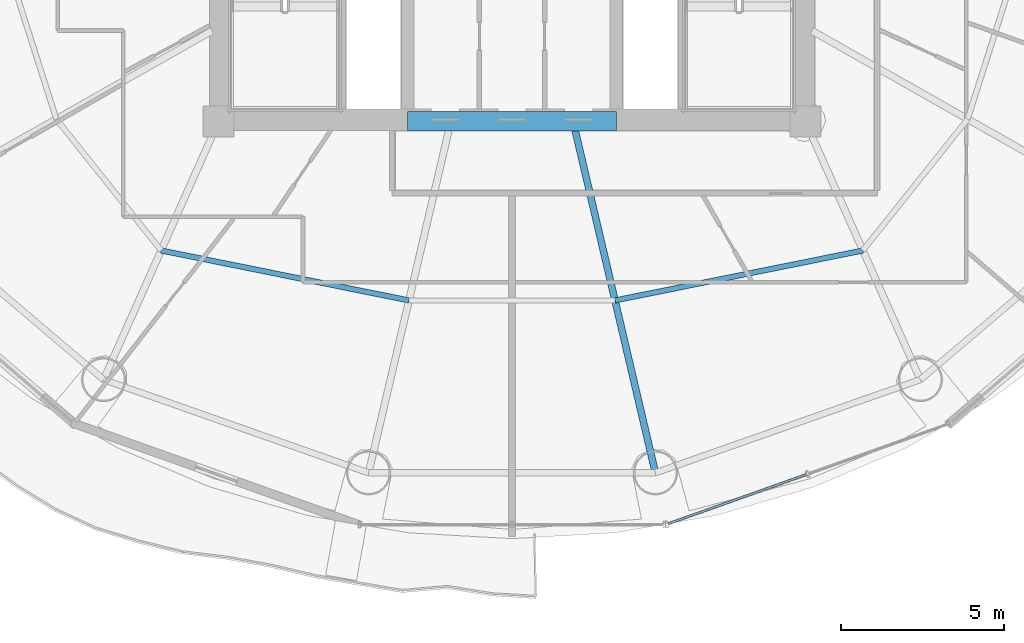
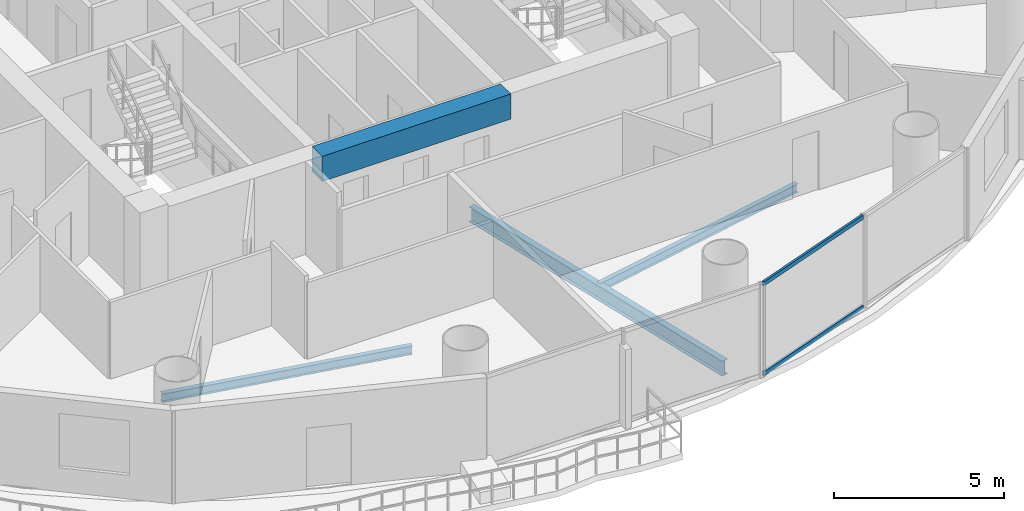
# One storey, part 5 of 26: 4 beams, 2 members, 1 element without a shape of its own.
"""IFC4 building model written with IfcOpenShell, lengths in metres."""

from ifc_helpers import new_model, si_unit, direction, frame, origin, origin_2d, place, context, subcontext, project, spatial, rectangle, hollow_rectangle, i_section, extrude, source, transform, mapped, material, material_profile, profile_set, type_object, element, aggregate, save


model = new_model("IFC4")

# Units and contexts
model_context = context("Model", 3, precision=1e-05, world=origin(), true_north=direction((-0.2419218956, 0.970295726276)))
body_context = subcontext(model_context, "Body", "Model", "MODEL_VIEW")
ifc_project = project(units=[si_unit("LENGTHUNIT", "METRE"), si_unit("AREAUNIT", "SQUARE_METRE"), si_unit("VOLUMEUNIT", "CUBIC_METRE"), si_unit("PLANEANGLEUNIT", "RADIAN"), si_unit("MASSUNIT", "GRAM", prefix="KILO")], contexts=[model_context])

# Site, building, storey
site_placement = place(None, origin())
site = spatial("IfcSite", under=ifc_project, at=site_placement, CompositionType="ELEMENT")
building_placement = place(site_placement, origin())
building = spatial("IfcBuilding", under=site, at=building_placement, Name="Cobrevalo Terracotta Tower", CompositionType="ELEMENT")
storey_placement = place(building_placement, frame((0.0, 0.0, 171.39990234375)))
storey = spatial("IfcBuildingStorey", under=building, at=storey_placement, Name="L45", CompositionType="ELEMENT", Elevation=171.39990234375)

# Beams
ifc_material_1 = material(Name="Concrete C60", Category="concrete")
ifc_material_profile_1 = material_profile(ifc_material_1, rectangle(XDim=0.60009765625, YDim=0.89990234375, at=origin_2d()), Name="RC CB 600x900")
ifc_profile_set_1 = profile_set([ifc_material_profile_1], Name="Concrete C60")
beam_type_1 = type_object("IfcBeamType", Name="Structural Beam RC CB 600x900 (Concrete C60)", PredefinedType="BEAM", material=ifc_profile_set_1)
beam_1_placement = place(storey_placement, frame((34.800048828125, 18.800048828125, 2.880126953125), z_axis=(1.0, 0.0, 0.0), x_axis=(0.0, 1.0, 0.0)))
element("IfcBeam", 1, at=beam_1_placement, inside=storey, type_object=beam_type_1, Name="L45 core coupling beam 1", PredefinedType="BEAM", context=body_context, shape_type="SweptSolid", body=[
    extrude(rectangle(XDim=0.60009765625, YDim=0.89990234375, at=origin_2d()), origin(), (0.0, 0.0, 1.0), 6.39990234375),
])
ifc_material_2 = material(Name="Steel S355", Category="steel")
ifc_material_profile_2 = material_profile(ifc_material_2, i_section(OverallWidth=0.2109375, OverallDepth=0.5390625, WebThickness=0.01171875, FlangeThickness=0.018798828125, at=origin_2d()), Name="W 530x109")
ifc_profile_set_2 = profile_set([ifc_material_profile_2], Name="Steel S355")
beam_type_2 = type_object("IfcBeamType", Name="Structural Beam W 530x109 (Steel S355)", PredefinedType="BEAM", material=ifc_profile_set_2)
beam_2_placement = place(storey_placement, frame((42.399169921875, 8.01806640625, -0.539306640625), z_axis=(-0.228045854186, 0.973650393308, 0.0), x_axis=(-0.973650393308, -0.228045854186, 0.0)))
element("IfcBeam", 2, at=beam_2_placement, inside=storey, type_object=beam_type_2, Name="L45 radial floor girder 13", PredefinedType="BEAM", context=body_context, shape_type="SweptSolid", body=[
    extrude(i_section(OverallWidth=0.2109375, OverallDepth=0.5390625, WebThickness=0.01171875, FlangeThickness=0.018798828125, at=origin_2d()), origin(), (0.0, 0.0, 1.0), 10.863037109375),
])
ifc_material_profile_3 = material_profile(ifc_material_2, i_section(OverallWidth=0.1650390625, OverallDepth=0.31005859375, WebThickness=0.005859375, FlangeThickness=0.009765625, at=origin_2d()), Name="W 310x38.7")
ifc_profile_set_3 = profile_set([ifc_material_profile_3], Name="Steel S355")
beam_type_3 = type_object("IfcBeamType", Name="Structural Joist W 310x38.7 (Steel S355)", PredefinedType="JOIST", material=ifc_profile_set_3)
for number, where, z_axis, x_axis, name in (
    (3, (27.23583984375, 14.838623046875, -0.4248046875), (0.980293928329, -0.197544461026, 0.0), (0.197544461026, 0.980293928329, 0.0), "L45 circumferential secondary floor joist 11"),
    (4, (41.16064453125, 13.306396484375, -0.4248046875), (0.980293928329, 0.197544461026, 0.0), (-0.197544461026, 0.980293928329, 0.0), "L45 circumferential secondary floor joist 13"),
):
    element("IfcBeam", number, at=place(storey_placement, frame(where, z_axis=z_axis, x_axis=x_axis)), inside=storey, type_object=beam_type_3, Name=name, PredefinedType="JOIST", context=body_context, shape_type="SweptSolid", body=[
        extrude(i_section(OverallWidth=0.1650390625, OverallDepth=0.31005859375, WebThickness=0.005859375, FlangeThickness=0.009765625, at=origin_2d()), origin(), (0.0, 0.0, 1.0), 7.75634765625),
    ])

# Curtain wall, members
ifc_material_3 = material(Name="Anodized aluminium", Category="aluminium")
curtain_wall_type = type_object("IfcCurtainWallType", Name="Mid-tower high-wind unitised curtain wall CW-U2", PredefinedType="NOTDEFINED", material=ifc_material_3)
curtain_wall_placement = place(storey_placement, origin())
curtain_wall = element("IfcCurtainWall", 5, at=curtain_wall_placement, inside=storey, type_object=curtain_wall_type, Name="L45 curtain wall CW-L45-S13", PredefinedType="NOTDEFINED")
ifc_material_profile_4 = material_profile(ifc_material_3, hollow_rectangle(XDim=0.074951171875, YDim=0.14990234375, WallThickness=0.00439453125, at=origin_2d()), Name="CWT 75x150")
ifc_profile_set_4 = profile_set([ifc_material_profile_4], Name="Anodized aluminium")
member_type = type_object("IfcMemberType", Name="Tower unitised aluminium transom 75x150", PredefinedType="USERDEFINED", material=ifc_profile_set_4)
shared_shape = source(origin(), body_context, "Body", "SweptSolid", [
    extrude(hollow_rectangle(XDim=0.074951171875, YDim=0.14990234375, WallThickness=0.00439453125, at=origin_2d()), origin(), (0.0, 0.0, 1.0), 4.50390625),
])
member_1_placement = place(storey_placement, frame((42.790771484375, 6.455810546875, 0.050048828125), z_axis=(0.942087248155, 0.335367882873, 0.0), x_axis=(-0.335367882873, 0.942087248155, 0.0)))
member_1 = element("IfcMember", 6, at=member_1_placement, type_object=member_type, Name="CW-L45-S13 transom B01-T1", ObjectType="TRANSOM", PredefinedType="USERDEFINED", context=body_context, shape_type="MappedRepresentation", body=[
    mapped(shared_shape, transform((0.0, 0.0, 0.0), scale=1.0)),
])
member_2_placement = place(storey_placement, frame((42.790771484375, 6.455810546875, 3.280029296875), z_axis=(0.942087248155, 0.335367882873, 0.0), x_axis=(-0.335367882873, 0.942087248155, 0.0)))
member_2 = element("IfcMember", 7, at=member_2_placement, type_object=member_type, Name="CW-L45-S13 transom B01-T2", ObjectType="TRANSOM", PredefinedType="USERDEFINED", context=body_context, shape_type="MappedRepresentation", body=[
    mapped(shared_shape, transform((0.0, 0.0, 0.0), scale=1.0)),
])
aggregate(curtain_wall, [member_1, member_2])

save(model, "model.ifc")
